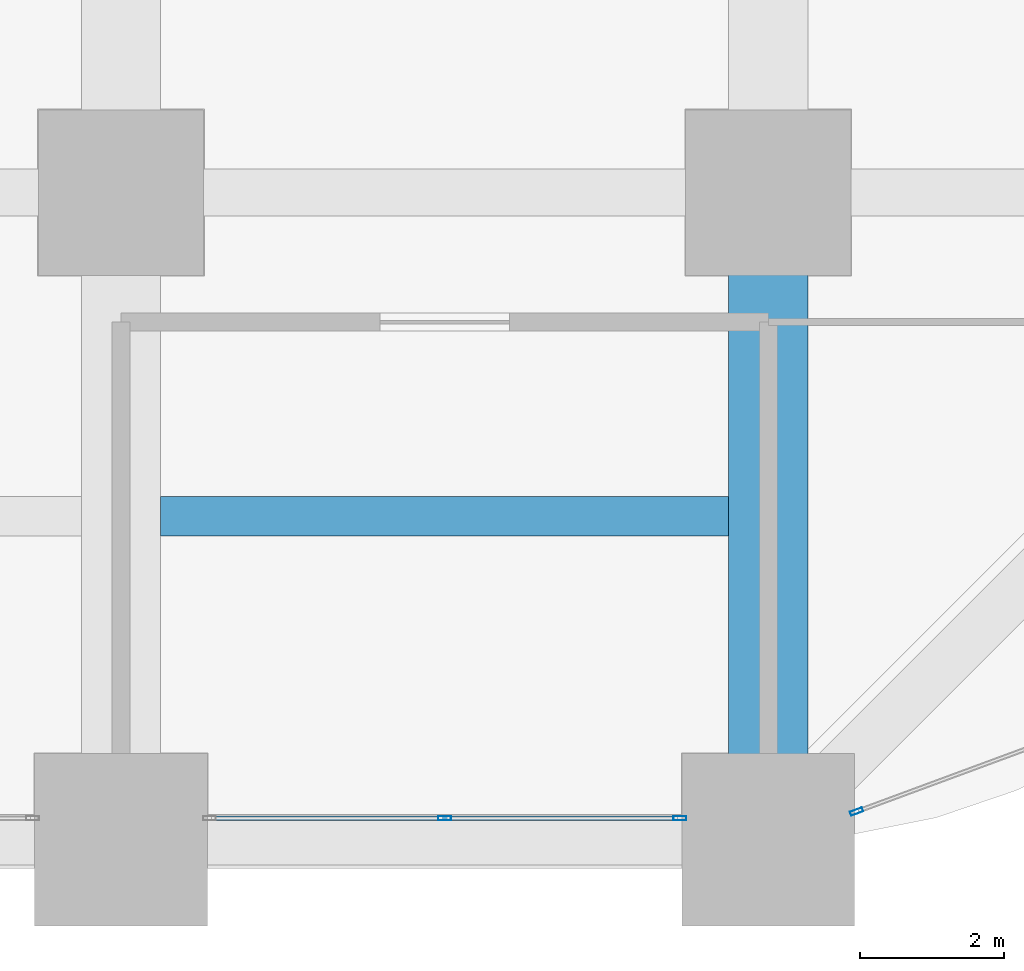
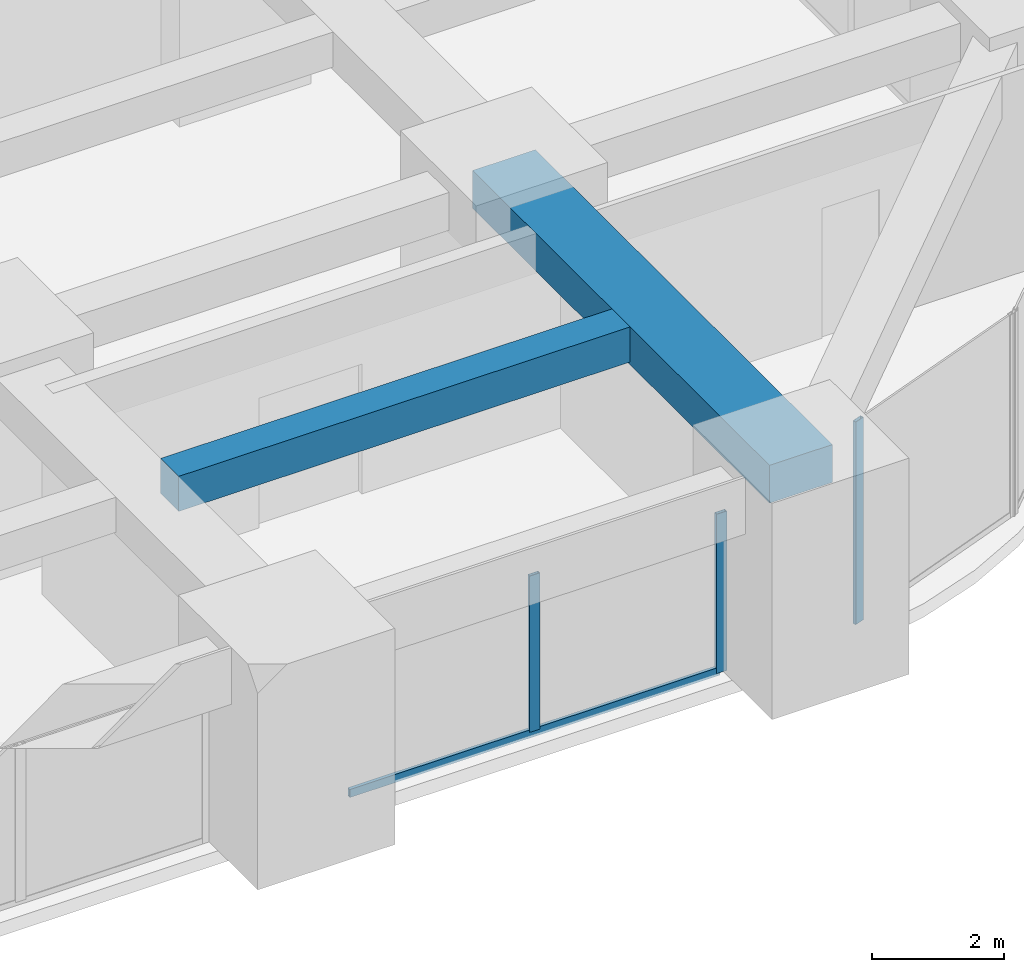
# One storey, part 15 of 44: 4 members, 2 beams, 2 elements without a shape of their own.
"""IFC4 building model written with IfcOpenShell, lengths in metres."""

from ifc_helpers import new_model, si_unit, direction, frame, origin, origin_2d, place, context, subcontext, project, spatial, rectangle, hollow_rectangle, extrude, material, material_profile, profile_set, type_object, element, aggregate, save


model = new_model("IFC4")

# Units and contexts
model_context = context("Model", 3, precision=1e-05, world=origin(), true_north=direction((0.0, 1.0)))
body_context = subcontext(model_context, "Body", "Model", "MODEL_VIEW")
ifc_project = project(units=[si_unit("LENGTHUNIT", "METRE"), si_unit("AREAUNIT", "SQUARE_METRE"), si_unit("VOLUMEUNIT", "CUBIC_METRE"), si_unit("PLANEANGLEUNIT", "RADIAN"), si_unit("MASSUNIT", "GRAM", prefix="KILO")], contexts=[model_context])

# Site, building, storey
site_placement = place(None, origin())
site = spatial("IfcSite", under=ifc_project, at=site_placement, CompositionType="ELEMENT")
building_placement = place(site_placement, origin())
building = spatial("IfcBuilding", under=site, at=building_placement, Name="Zorevar Civic Tower", CompositionType="ELEMENT")
storey_placement = place(building_placement, frame((0.0, 0.0, 31.800048828125)))
storey = spatial("IfcBuildingStorey", under=building, at=storey_placement, Name="L07", CompositionType="ELEMENT", Elevation=31.800048828125)

# Beams
ifc_material_1 = material(Name="Concrete C50/60", Category="concrete")
ifc_material_profile_1 = material_profile(ifc_material_1, rectangle(XDim=1.10009765625, YDim=0.699951171875, at=origin_2d()), Name="RC 1100x700")
ifc_profile_set_1 = profile_set([ifc_material_profile_1], Name="Concrete C50/60")
beam_type_1 = type_object("IfcBeamType", Name="Beam RC 1100x700", PredefinedType="BEAM", material=ifc_profile_set_1)
beam_1_placement = place(storey_placement, frame((54.0, 0.0, 3.39990234375), z_axis=(0.0, 1.0, 0.0), x_axis=(-1.0, 0.0, 0.0)))
element("IfcBeam", 1, at=beam_1_placement, inside=storey, type_object=beam_type_1, Name="Girder L08", PredefinedType="BEAM", context=body_context, shape_type="SweptSolid", body=[
    extrude(rectangle(XDim=1.10009765625, YDim=0.699951171875, at=origin_2d()), origin(), (0.0, 0.0, 1.0), 9.0),
])
ifc_material_2 = material(Name="Concrete C50/60", Category="concrete")
ifc_material_profile_2 = material_profile(ifc_material_2, rectangle(XDim=0.550048828125, YDim=0.64990234375, at=origin_2d()), Name="RC 550x650")
ifc_profile_set_2 = profile_set([ifc_material_profile_2], Name="Concrete C50/60")
beam_type_2 = type_object("IfcBeamType", Name="Beam RC 550x650", PredefinedType="BEAM", material=ifc_profile_set_2)
beam_2_placement = place(storey_placement, frame((45.550048828125, 4.5, 3.425048828125), z_axis=(1.0, 0.0, 0.0), x_axis=(0.0, 1.0, 0.0)))
element("IfcBeam", 2, at=beam_2_placement, inside=storey, type_object=beam_type_2, Name="Secondary beam L08", PredefinedType="BEAM", context=body_context, shape_type="SweptSolid", body=[
    extrude(rectangle(XDim=0.550048828125, YDim=0.64990234375, at=origin_2d()), origin(), (0.0, 0.0, 1.0), 7.89990234375),
])

# Curtain wall, members
ifc_material_3 = material(Name="Dark grey solar-control glass in black aluminium frame", Category="aluminium")
curtain_wall_type = type_object("IfcCurtainWallType", Name="Curtain wall CW2 low zone", PredefinedType="NOTDEFINED", material=ifc_material_3)
curtain_wall_1_placement = place(storey_placement, origin())
curtain_wall_1 = element("IfcCurtainWall", 3, at=curtain_wall_1_placement, inside=storey, type_object=curtain_wall_type, Name="CW2 L07", PredefinedType="NOTDEFINED")
ifc_material_4 = material(Name="Aluminium, black anodised", Category="aluminium")
ifc_material_profile_3 = material_profile(ifc_material_4, hollow_rectangle(XDim=0.06005859375, YDim=0.179931640625, WallThickness=0.00390625, at=origin_2d()), Name="AL 180x60x4")
ifc_profile_set_3 = profile_set([ifc_material_profile_3], Name="Aluminium, black anodised")
member_type_1 = type_object("IfcMemberType", Name="CW2 mullion AL 180x60x4", PredefinedType="MULLION", material=ifc_profile_set_3)
member_1_placement = place(storey_placement, frame((49.5, 0.300048828125, 0.06005859375), z_axis=(0.0, 0.0, 1.0), x_axis=(0.0, 1.0, 0.0)))
member_1 = element("IfcMember", 4, at=member_1_placement, type_object=member_type_1, Name="CW2 mullion 2", PredefinedType="MULLION", context=body_context, shape_type="SweptSolid", body=[
    extrude(hollow_rectangle(XDim=0.06005859375, YDim=0.179931640625, WallThickness=0.00390625, at=origin_2d()), origin(), (0.0, 0.0, 1.0), 2.889892578125),
])
member_2_placement = place(storey_placement, frame((52.77001953125, 0.300048828125, 0.0), z_axis=(0.0, 0.0, 1.0), x_axis=(0.0, 1.0, 0.0)))
member_2 = element("IfcMember", 5, at=member_2_placement, type_object=member_type_1, Name="CW2 mullion 3", PredefinedType="MULLION", context=body_context, shape_type="SweptSolid", body=[
    extrude(hollow_rectangle(XDim=0.06005859375, YDim=0.179931640625, WallThickness=0.00390625, at=origin_2d()), origin(), (0.0, 0.0, 1.0), 2.949951171875),
])

# Curtain wall, member
curtain_wall_2_placement = place(storey_placement, origin())
curtain_wall_2 = element("IfcCurtainWall", 6, at=curtain_wall_2_placement, inside=storey, type_object=curtain_wall_type, Name="CW2 L07", PredefinedType="NOTDEFINED")
member_3_placement = place(storey_placement, frame((55.22802734375, 0.3935546875, 0.0), z_axis=(0.0, 0.0, 1.0), x_axis=(-0.346704012033, 0.937974588163, 0.0)))
member_3 = element("IfcMember", 7, at=member_3_placement, type_object=member_type_1, Name="CW2 mullion 1", PredefinedType="MULLION", context=body_context, shape_type="SweptSolid", body=[
    extrude(hollow_rectangle(XDim=0.06005859375, YDim=0.179931640625, WallThickness=0.00390625, at=origin_2d()), origin(), (0.0, 0.0, 1.0), 3.75),
])
aggregate(curtain_wall_2, [member_3])

# Member
ifc_material_5 = material(Name="Aluminium, black anodised", Category="aluminium")
ifc_material_profile_4 = material_profile(ifc_material_5, hollow_rectangle(XDim=0.06005859375, YDim=0.14990234375, WallThickness=0.00390625, at=origin_2d()), Name="AL 150x60x4")
ifc_profile_set_4 = profile_set([ifc_material_profile_4], Name="Aluminium, black anodised")
member_type_2 = type_object("IfcMemberType", Name="CW2 transom AL 150x60x4", PredefinedType="USERDEFINED", material=ifc_profile_set_4)
member_4_placement = place(storey_placement, frame((46.260009765625, 0.300048828125, 0.030029296875), z_axis=(1.0, 0.0, 0.0), x_axis=(0.0, 1.0, 0.0)))
member_4 = element("IfcMember", 8, at=member_4_placement, type_object=member_type_2, Name="CW2 sill transom", ObjectType="TRANSOM", PredefinedType="USERDEFINED", context=body_context, shape_type="SweptSolid", body=[
    extrude(hollow_rectangle(XDim=0.06005859375, YDim=0.14990234375, WallThickness=0.00390625, at=origin_2d()), origin(), (0.0, 0.0, 1.0), 6.47998046875),
])

aggregate(curtain_wall_1, [member_1, member_2, member_4])

save(model, "model.ifc")
